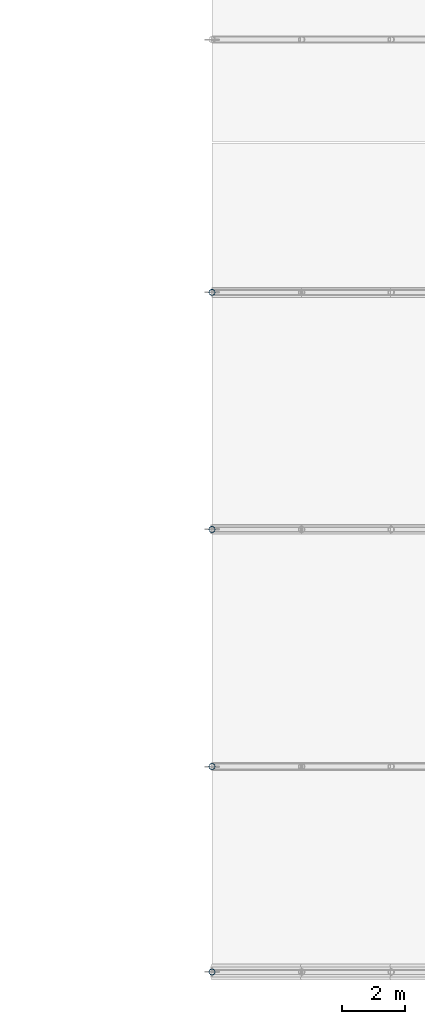
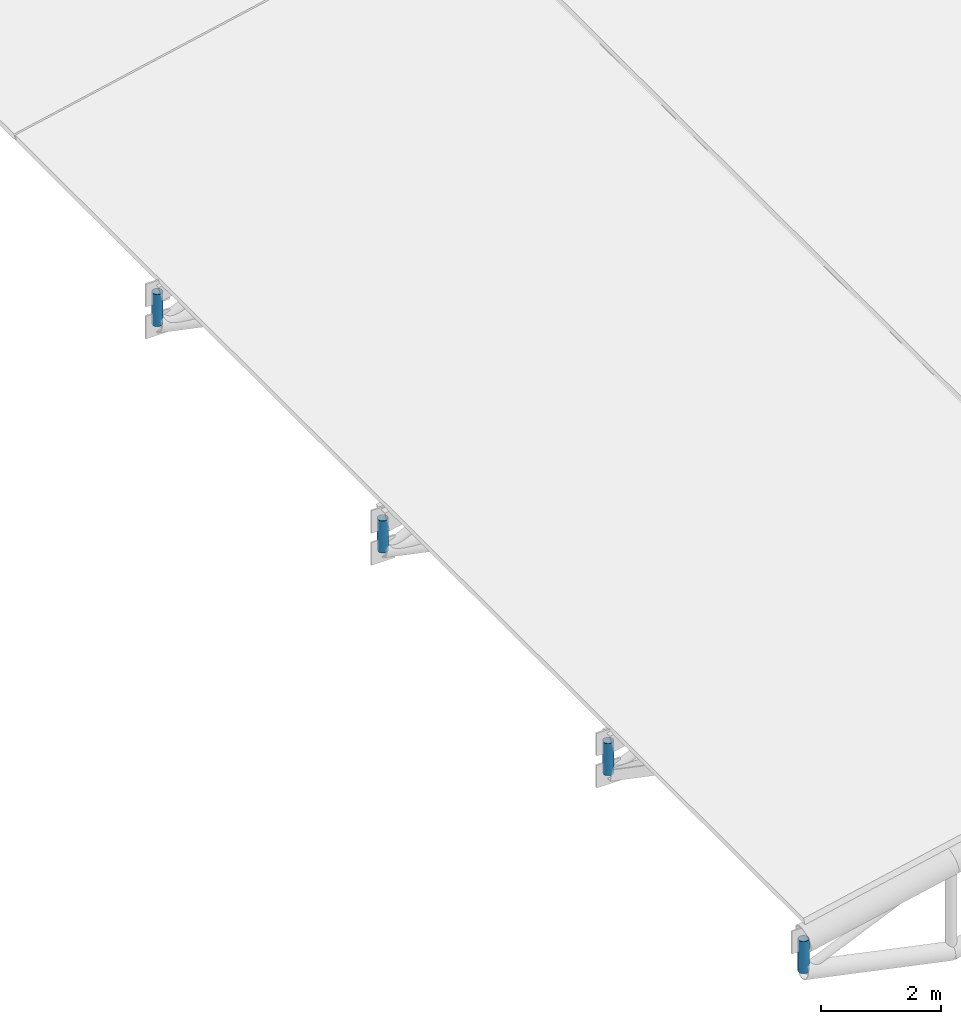
# One storey, part 21 of 28: 4 members.
"""IFC4 building model written with IfcOpenShell, lengths in metres."""

from ifc_helpers import new_model, si_unit, direction, frame, origin, origin_2d, place, context, subcontext, project, spatial, hollow_circle, extrude, material, material_profile, profile_set, type_object, element, save


model = new_model("IFC4")

# Units and contexts
model_context = context("Model", 3, precision=1e-05, world=origin(), true_north=direction((0.0, 1.0)))
body_context = subcontext(model_context, "Body", "Model", "MODEL_VIEW")
ifc_project = project(units=[si_unit("LENGTHUNIT", "METRE"), si_unit("AREAUNIT", "SQUARE_METRE"), si_unit("VOLUMEUNIT", "CUBIC_METRE"), si_unit("PLANEANGLEUNIT", "RADIAN"), si_unit("MASSUNIT", "GRAM", prefix="KILO"), si_unit("THERMODYNAMICTEMPERATUREUNIT", "KELVIN"), si_unit("POWERUNIT", "WATT")], contexts=[model_context])

# Site, building, storey
site_placement = place(None, origin())
site = spatial("IfcSite", under=ifc_project, at=site_placement, CompositionType="ELEMENT")
building_placement = place(site_placement, origin())
building = spatial("IfcBuilding", under=site, at=building_placement, Name="Tepalcoro Natatorium and Aquatics Centre", CompositionType="ELEMENT")
storey_placement = place(building_placement, frame((0.0, 0.0, 23.199951171875)))
storey = spatial("IfcBuildingStorey", under=building, at=storey_placement, Name="RF", CompositionType="ELEMENT", Elevation=23.199951171875)

# Members
ifc_material = material(Name="Terracotta Painted Hollow Steel ASTM A500 Grade C (Fy 345 MPa)", Category="masonry")
ifc_material_profile = material_profile(ifc_material, hollow_circle(Radius=0.096923828125, WallThickness=0.010009765625, at=origin_2d()), Name="CHS194X10")
ifc_profile_set = profile_set([ifc_material_profile], Name="Terracotta Painted Hollow Steel ASTM A500 Grade C (Fy 345 MPa)")
member_type = type_object("IfcMemberType", Name="MB_PS_CHS194x10", PredefinedType="POST", material=ifc_profile_set)
for number, where, z_axis, x_axis, name in (
    (1, (142.0, 6.5, -4.366943359375), (0.0, 0.0, 1.0), (1.0, 0.0, 0.0), "V2 Barrel-Arch Post 1"),
    (2, (142.0, 13.0, -4.287841796875), (0.0, 0.0, 1.0), (1.0, 0.0, 0.0), "V2 Barrel-Arch Post 2"),
):
    element("IfcMember", number, at=place(storey_placement, frame(where, z_axis=z_axis, x_axis=x_axis)), inside=storey, type_object=member_type, Name=name, PredefinedType="POST", context=body_context, shape_type="SweptSolid", body=[
        extrude(hollow_circle(Radius=0.096923828125, WallThickness=0.010009765625, at=origin_2d()), origin(), (0.0, 0.0, 1.0), 0.64990234375),
    ])
member_1_placement = place(storey_placement, frame((142.0, 20.5, -4.31298828125), z_axis=(0.0, 0.0, 1.0), x_axis=(1.0, 0.0, 0.0)))
element("IfcMember", 3, at=member_1_placement, inside=storey, type_object=member_type, Name="V2 Barrel-Arch Post 3", PredefinedType="POST", context=body_context, shape_type="SweptSolid", body=[
    extrude(hollow_circle(Radius=0.096923828125, WallThickness=0.010009765625, at=origin_2d()), origin(), (0.0, 0.0, 1.0), 0.650146484375),
])
member_2_placement = place(storey_placement, frame((142.0, 28.0, -4.262939453125), z_axis=(0.0, 0.0, 1.0), x_axis=(1.0, 0.0, 0.0)))
element("IfcMember", 4, at=member_2_placement, inside=storey, type_object=member_type, Name="V2 Barrel-Arch Post 4", PredefinedType="POST", context=body_context, shape_type="SweptSolid", body=[
    extrude(hollow_circle(Radius=0.096923828125, WallThickness=0.010009765625, at=origin_2d()), origin(), (0.0, 0.0, 1.0), 0.64990234375),
])

save(model, "model.ifc")
